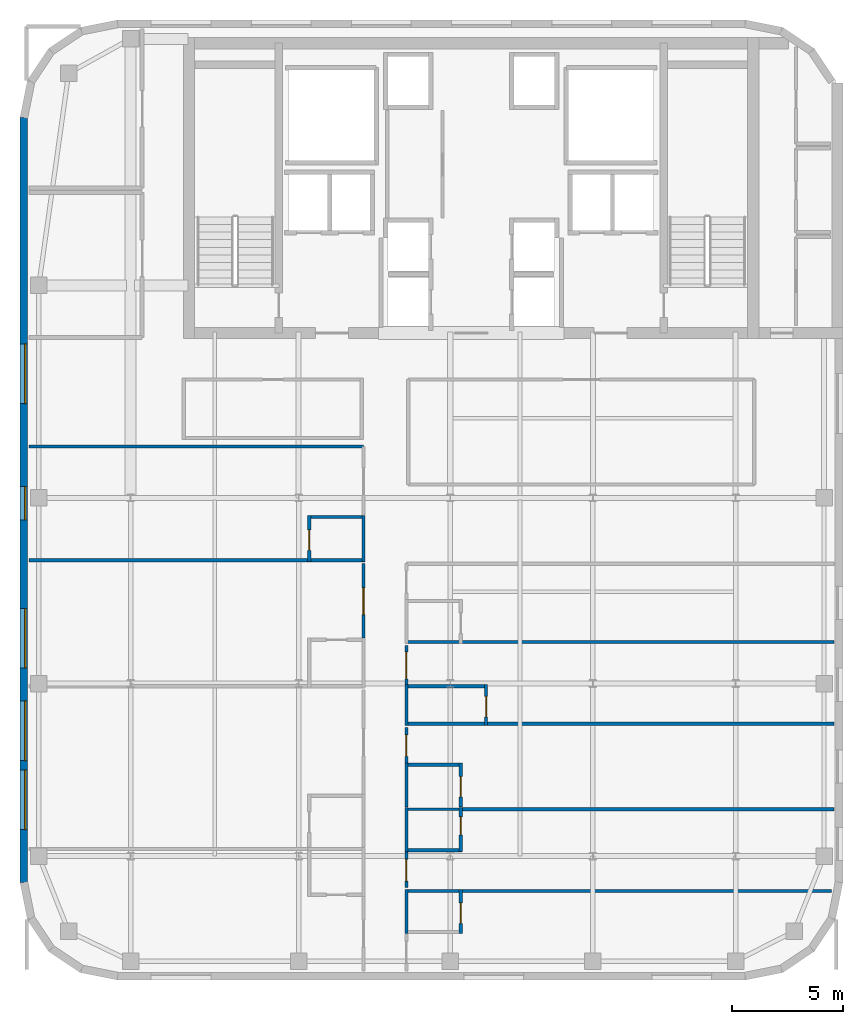
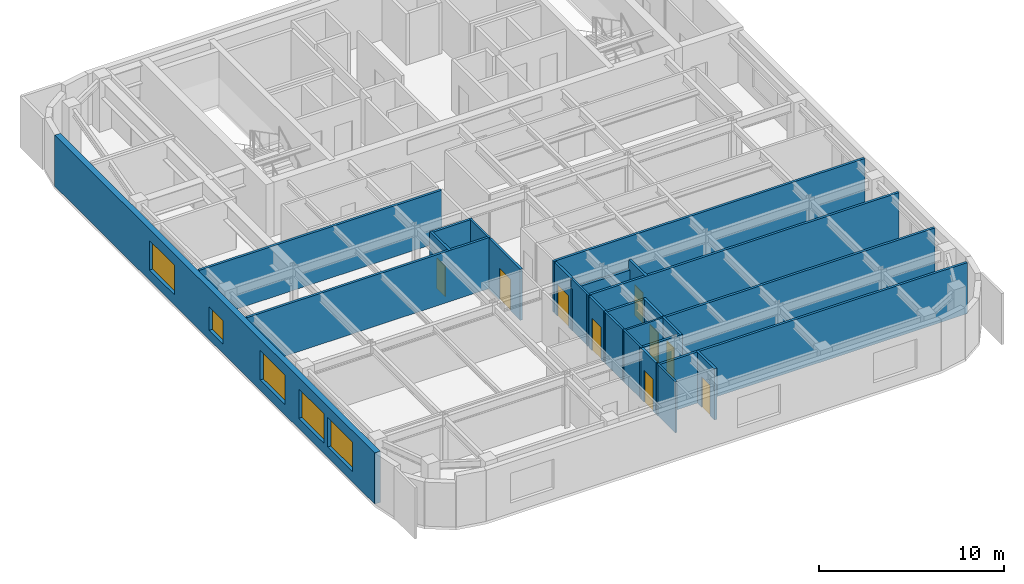
# One storey, part 4 of 9: 27 walls, 9 doors, 5 windows, 14 openings.
"""IFC4 building model written with IfcOpenShell, lengths in metres."""

from ifc_helpers import new_model, si_unit, direction, frame, frame_2d, origin, place, context, subcontext, project, spatial, rectangle, extrude, source, transform, mapped, material, layer, layer_set, type_object, type_shapes, element, fill, save


model = new_model("IFC4")

# Units and contexts
model_context = context("Model", 3, precision=1e-05, world=origin(), true_north=direction((0.0, 1.0)))
body_context = subcontext(model_context, "Body", "Model", "MODEL_VIEW")
ifc_project = project(units=[si_unit("LENGTHUNIT", "METRE"), si_unit("AREAUNIT", "SQUARE_METRE"), si_unit("VOLUMEUNIT", "CUBIC_METRE"), si_unit("PLANEANGLEUNIT", "RADIAN"), si_unit("MASSUNIT", "GRAM", prefix="KILO")], contexts=[model_context])

# Site, building, storey
site_placement = place(None, origin())
site = spatial("IfcSite", under=ifc_project, at=site_placement, CompositionType="ELEMENT")
building_placement = place(site_placement, origin())
building = spatial("IfcBuilding", under=site, at=building_placement, Name="Tolvann Quenvar Hotel", CompositionType="ELEMENT")
storey_placement = place(building_placement, frame((0.0, 0.0, 209.699951171875)))
storey = spatial("IfcBuildingStorey", under=building, at=storey_placement, Name="L55", CompositionType="ELEMENT", Elevation=209.699951171875)

# Wall, openings, windows
ifc_material_1 = material(Name="Kiln-fired red and buff architectural clay brickwork and terracotta masonry", Category="masonry")
ifc_layer_1 = layer(ifc_material_1, 0.35009765625)
ifc_layer_set_1 = layer_set([ifc_layer_1], Name="Kiln-fired red and buff architectural clay brickwork and terracotta masonry")
wall_type_1 = type_object("IfcWallType", Name="WALL_EXT_BRICK_350", PredefinedType="SOLIDWALL", material=ifc_layer_set_1)
wall_1_placement = place(storey_placement, frame((2.77490234375, 41.582763671875, 0.0), z_axis=(0.0, 0.0, 1.0), x_axis=(0.0, -1.0, 0.0)))
wall_1 = element("IfcWall", 1, at=wall_1_placement, inside=storey, type_object=wall_type_1, Name="Exterior Chicago Brick Wall L55-E19", PredefinedType="SOLIDWALL", context=body_context, shape_type="SweptSolid", body=[
    extrude(rectangle(XDim=34.565673828125, YDim=0.35009765625, at=frame_2d((17.28271484375, 0.0))), origin(), (0.0, 0.0, 1.0), 3.3701171875),
])
opening_1_placement = place(wall_1_placement, frame((10.22705078125, 0.0, 0.679931640625)))
opening_1 = element("IfcOpeningElement", 2, at=opening_1_placement, cuts=wall_1, Name="Opening W-04", PredefinedType="OPENING", context=body_context, shape_type="SweptSolid", body=[
    extrude(rectangle(XDim=2.699951171875, YDim=1.949951171875, at=frame_2d((1.35009765625, 0.97509765625))), frame((0.0, 0.18505859375, 0.0), z_axis=(0.0, -1.0, 0.0), x_axis=(1.0, 0.0, 0.0)), (0.0, 0.0, 1.0), 0.3701171875),
])
opening_2_placement = place(wall_1_placement, frame((22.18896484375, 0.0, 0.679931640625)))
opening_2 = element("IfcOpeningElement", 3, at=opening_2_placement, cuts=wall_1, Name="Opening W-04", PredefinedType="OPENING", context=body_context, shape_type="SweptSolid", body=[
    extrude(rectangle(XDim=2.699951171875, YDim=1.949951171875, at=frame_2d((1.35009765625, 0.97509765625))), frame((0.0, 0.18505859375, 0.0), z_axis=(0.0, -1.0, 0.0), x_axis=(1.0, 0.0, 0.0)), (0.0, 0.0, 1.0), 0.3701171875),
])
opening_3_placement = place(wall_1_placement, frame((26.360107421875, 0.0, 0.679931640625)))
opening_3 = element("IfcOpeningElement", 4, at=opening_3_placement, cuts=wall_1, Name="Opening W-04", PredefinedType="OPENING", context=body_context, shape_type="SweptSolid", body=[
    extrude(rectangle(XDim=2.699951171875, YDim=1.949951171875, at=frame_2d((1.35009765625, 0.97509765625))), frame((0.0, 0.18505859375, 0.0), z_axis=(0.0, -1.0, 0.0), x_axis=(1.0, 0.0, 0.0)), (0.0, 0.0, 1.0), 0.3701171875),
])
opening_4_placement = place(wall_1_placement, frame((29.47998046875, 0.0, 0.679931640625)))
opening_4 = element("IfcOpeningElement", 5, at=opening_4_placement, cuts=wall_1, Name="Opening W-04", PredefinedType="OPENING", context=body_context, shape_type="SweptSolid", body=[
    extrude(rectangle(XDim=2.699951171875, YDim=1.949951171875, at=frame_2d((1.35009765625, 0.97509765625))), frame((0.0, 0.18505859375, 0.0), z_axis=(0.0, -1.0, 0.0), x_axis=(1.0, 0.0, 0.0)), (0.0, 0.0, 1.0), 0.3701171875),
])
opening_5_placement = place(wall_1_placement, frame((16.68310546875, 0.0, 0.6201171875)))
opening_5 = element("IfcOpeningElement", 6, at=opening_5_placement, cuts=wall_1, Name="Opening W-08", PredefinedType="OPENING", context=body_context, shape_type="SweptSolid", body=[
    extrude(rectangle(XDim=1.5, YDim=1.550048828125, at=frame_2d((0.75, 0.77490234375))), frame((0.0, 0.18505859375, 0.0), z_axis=(0.0, -1.0, 0.0), x_axis=(1.0, 0.0, 0.0)), (0.0, 0.0, 1.0), 0.3701171875),
])
ifc_material_2 = material(Name="Thermally broken bronze-anodised aluminium frame with double low-E glazing", Category="aluminium")
window_type_1 = type_object("IfcWindowType", Name="WIN_COR_1500x2050", PartitioningType="SINGLE_PANEL", PredefinedType="WINDOW", material=ifc_material_2)
shared_shape_1 = source(origin(), body_context, "Body", "SweptSolid", [
    extrude(rectangle(XDim=1.5, YDim=1.550048828125, at=frame_2d((0.75, 0.77490234375))), frame((0.0, 0.090087890625, 0.0), z_axis=(0.0, -1.0, 0.0), x_axis=(1.0, 0.0, 0.0)), (0.0, 0.0, 1.0), 0.06005859375),
])
type_shapes(window_type_1, [shared_shape_1])
window_1_placement = place(opening_5_placement, origin())
window_1 = element("IfcWindow", 7, at=window_1_placement, inside=storey, type_object=window_type_1, Name="Chicago Window W-08 (EW-L55-E19-WD05)", OverallHeight=1.550048828125, OverallWidth=1.5, PartitioningType="SINGLE_PANEL", PredefinedType="WINDOW", context=body_context, shape_type="MappedRepresentation", body=[
    mapped(shared_shape_1, transform((0.0, 0.0, 0.0), x_axis=(1.0, 0.0, 0.0), y_axis=(0.0, 1.0, 0.0), z_axis=(0.0, 0.0, 1.0), scale=1.0)),
])
fill(opening_5, window_1)
window_type_2 = type_object("IfcWindowType", Name="WIN_STE_2700x2150", PartitioningType="TRIPLE_PANEL_HORIZONTAL", PredefinedType="WINDOW", material=ifc_material_2)
shared_shape_2 = source(origin(), body_context, "Body", "SweptSolid", [
    extrude(rectangle(XDim=2.699951171875, YDim=1.949951171875, at=frame_2d((1.35009765625, 0.97509765625))), frame((0.0, 0.090087890625, 0.0), z_axis=(0.0, -1.0, 0.0), x_axis=(1.0, 0.0, 0.0)), (0.0, 0.0, 1.0), 0.06005859375),
])
type_shapes(window_type_2, [shared_shape_2])
window_2_placement = place(opening_1_placement, origin())
window_2 = element("IfcWindow", 8, at=window_2_placement, inside=storey, type_object=window_type_2, Name="Chicago Window W-04 (EW-L55-E19-W01)", OverallHeight=1.949951171875, OverallWidth=2.699951171875, PartitioningType="TRIPLE_PANEL_HORIZONTAL", PredefinedType="WINDOW", context=body_context, shape_type="MappedRepresentation", body=[
    mapped(shared_shape_2, transform((0.0, 0.0, 0.0), x_axis=(1.0, 0.0, 0.0), y_axis=(0.0, 1.0, 0.0), z_axis=(0.0, 0.0, 1.0), scale=1.0)),
])
fill(opening_1, window_2)
window_3_placement = place(opening_2_placement, origin())
window_3 = element("IfcWindow", 9, at=window_3_placement, inside=storey, type_object=window_type_2, Name="Chicago Window W-04 (EW-L55-E19-W02)", OverallHeight=1.949951171875, OverallWidth=2.699951171875, PartitioningType="TRIPLE_PANEL_HORIZONTAL", PredefinedType="WINDOW", context=body_context, shape_type="MappedRepresentation", body=[
    mapped(shared_shape_2, transform((0.0, 0.0, 0.0), x_axis=(1.0, 0.0, 0.0), y_axis=(0.0, 1.0, 0.0), z_axis=(0.0, 0.0, 1.0), scale=1.0)),
])
fill(opening_2, window_3)
window_4_placement = place(opening_3_placement, origin())
window_4 = element("IfcWindow", 10, at=window_4_placement, inside=storey, type_object=window_type_2, Name="Chicago Window W-04 (EW-L55-E19-W03)", OverallHeight=1.949951171875, OverallWidth=2.699951171875, PartitioningType="TRIPLE_PANEL_HORIZONTAL", PredefinedType="WINDOW", context=body_context, shape_type="MappedRepresentation", body=[
    mapped(shared_shape_2, transform((0.0, 0.0, 0.0), x_axis=(1.0, 0.0, 0.0), y_axis=(0.0, 1.0, 0.0), z_axis=(0.0, 0.0, 1.0), scale=1.0)),
])
fill(opening_3, window_4)
window_5_placement = place(opening_4_placement, origin())
window_5 = element("IfcWindow", 11, at=window_5_placement, inside=storey, type_object=window_type_2, Name="Chicago Window W-04 (EW-L55-E19-W04)", OverallHeight=1.949951171875, OverallWidth=2.699951171875, PartitioningType="TRIPLE_PANEL_HORIZONTAL", PredefinedType="WINDOW", context=body_context, shape_type="MappedRepresentation", body=[
    mapped(shared_shape_2, transform((0.0, 0.0, 0.0), x_axis=(1.0, 0.0, 0.0), y_axis=(0.0, 1.0, 0.0), z_axis=(0.0, 0.0, 1.0), scale=1.0)),
])
fill(opening_4, window_5)

# Walls
ifc_material_3 = material(Name="Moisture-resistant acoustic plumbing wall assembly")
ifc_layer_2 = layer(ifc_material_3, 0.1201171875)
ifc_layer_set_2 = layer_set([ifc_layer_2], Name="Moisture-resistant acoustic plumbing wall assembly")
wall_type_2 = type_object("IfcWallType", Name="WALL_PART_BATH_120", PredefinedType="PLUMBINGWALL", material=ifc_layer_set_2)
wall_2_placement = place(storey_placement, frame((18.1298828125, 21.510009765625, 0.0), z_axis=(0.0, 0.0, 1.0), x_axis=(0.0, 1.0, 0.0)))
element("IfcWall", 12, at=wall_2_placement, inside=storey, type_object=wall_type_2, Name="Non-Rated Plumbing Partition PT-SPC-L55-ENS-WO04-E", PredefinedType="PLUMBINGWALL", context=body_context, shape_type="SweptSolid", body=[
    extrude(rectangle(XDim=2.093017578125, YDim=0.1201171875, at=frame_2d((1.04638671875, 0.0))), origin(), (0.0, 0.0, 1.0), 3.3701171875),
])
wall_3_placement = place(storey_placement, frame((20.070068359375, 4.699951171875, 0.0), z_axis=(0.0, 0.0, 1.0), x_axis=(0.0, 1.0, 0.0)))
element("IfcWall", 13, at=wall_3_placement, inside=storey, type_object=wall_type_2, Name="Non-Rated Plumbing Partition PT-SPC-L55-ENS-EO01-W", PredefinedType="PLUMBINGWALL", context=body_context, shape_type="SweptSolid", body=[
    extrude(rectangle(XDim=1.989990234375, YDim=0.1201171875, at=frame_2d((0.9951171875, 0.0))), origin(), (0.0, 0.0, 1.0), 3.3701171875),
])
wall_4_placement = place(storey_placement, frame((20.0, 10.320068359375, 0.0), z_axis=(0.0, 0.0, 1.0), x_axis=(1.0, 0.0, 0.0)))
element("IfcWall", 14, at=wall_4_placement, inside=storey, type_object=wall_type_2, Name="Non-Rated Plumbing Partition PT-SPC-L55-ENS-EO02-N", PredefinedType="PLUMBINGWALL", context=body_context, shape_type="SweptSolid", body=[
    extrude(rectangle(XDim=2.590087890625, YDim=0.1201171875, at=frame_2d((1.294921875, 0.0))), origin(), (0.0, 0.0, 1.0), 3.3701171875),
])
for number, where, z_axis, x_axis, name in (
    (15, (20.070068359375, 8.39990234375, 0.0), (0.0, 0.0, 1.0), (0.0, 1.0, 0.0), "Non-Rated Plumbing Partition PT-SPC-L55-ENS-EO02-W"),
    (16, (20.070068359375, 10.409912109375, 0.0), (0.0, 0.0, 1.0), (0.0, 1.0, 0.0), "Non-Rated Plumbing Partition PT-SPC-L55-ENS-EO03-W"),
):
    element("IfcWall", number, at=place(storey_placement, frame(where, z_axis=z_axis, x_axis=x_axis)), inside=storey, type_object=wall_type_2, Name=name, PredefinedType="PLUMBINGWALL", context=body_context, shape_type="SweptSolid", body=[
        extrude(rectangle(XDim=1.989990234375, YDim=0.1201171875, at=frame_2d((0.9951171875, 0.0))), origin(), (0.0, 0.0, 1.0), 3.3701171875),
    ])
wall_5_placement = place(storey_placement, frame((20.070068359375, 14.110107421875, 0.0), z_axis=(0.0, 0.0, 1.0), x_axis=(0.0, 1.0, 0.0)))
element("IfcWall", 17, at=wall_5_placement, inside=storey, type_object=wall_type_2, Name="Non-Rated Plumbing Partition PT-SPC-L55-ENS-EO04-W", PredefinedType="PLUMBINGWALL", context=body_context, shape_type="SweptSolid", body=[
    extrude(rectangle(XDim=1.8388671875, YDim=0.1201171875, at=frame_2d((0.91943359375, 0.0))), origin(), (0.0, 0.0, 1.0), 3.3701171875),
])

# Wall, opening, door
ifc_material_4 = material(Name="Acoustic twin-stud fire-rated gypsum plasterboard partition")
ifc_layer_3 = layer(ifc_material_4, 0.14990234375)
ifc_layer_set_3 = layer_set([ifc_layer_3], Name="Acoustic twin-stud fire-rated gypsum plasterboard partition")
wall_type_3 = type_object("IfcWallType", Name="WALL_PART_SUITE_150", PredefinedType="PARTITIONING", material=ifc_layer_set_3)
wall_6_placement = place(storey_placement, frame((15.679931640625, 21.510009765625, 0.0), z_axis=(0.0, 0.0, 1.0), x_axis=(0.0, 1.0, 0.0)))
wall_6 = element("IfcWall", 18, at=wall_6_placement, inside=storey, type_object=wall_type_3, Name="Interior Partition PT-SPC-L55-ENS-WO04-ENT", PredefinedType="PARTITIONING", context=body_context, shape_type="SweptSolid", body=[
    extrude(rectangle(XDim=2.093017578125, YDim=0.14990234375, at=frame_2d((1.04638671875, 0.0))), origin(), (0.0, 0.0, 1.0), 3.3701171875),
])
opening_6_placement = place(wall_6_placement, frame((0.5166015625, 0.0, 0.0)))
opening_6 = element("IfcOpeningElement", 19, at=opening_6_placement, cuts=wall_6, Name="Opening WD-01", PredefinedType="OPENING", context=body_context, shape_type="SweptSolid", body=[
    extrude(rectangle(XDim=0.919921875, YDim=2.010009765625, at=frame_2d((0.4599609375, 1.0048828125))), frame((0.0, 0.0849609375, 0.0), z_axis=(0.0, -1.0, 0.0), x_axis=(1.0, 0.0, 0.0)), (0.0, 0.0, 1.0), 0.169921875),
])
ifc_material_5 = material(Name="Solid-core American oak acoustic fire door leaf in steel frame", Category="steel")
door_type_1 = type_object("IfcDoorType", Name="DOOR_WC_920", OperationType="NOTDEFINED", PredefinedType="DOOR", material=ifc_material_5)
shared_shape_3 = source(origin(), body_context, "Body", "SweptSolid", [
    extrude(rectangle(XDim=0.919921875, YDim=2.010009765625, at=frame_2d((0.4599609375, 1.0048828125))), frame((0.0, 0.02490234375, 0.0), z_axis=(0.0, -1.0, 0.0), x_axis=(1.0, 0.0, 0.0)), (0.0, 0.0, 1.0), 0.050048828125),
])
type_shapes(door_type_1, [shared_shape_3])
door_1_placement = place(opening_6_placement, origin())
door_1 = element("IfcDoor", 20, at=door_1_placement, inside=storey, type_object=door_type_1, Name="Interior Door DOOR-SPC-L55-ENS-WO04", OperationType="SINGLE_SWING_RIGHT", OverallHeight=2.010009765625, OverallWidth=0.919921875, PredefinedType="DOOR", context=body_context, shape_type="MappedRepresentation", body=[
    mapped(shared_shape_3, transform((0.0, 0.0, 0.0), x_axis=(1.0, 0.0, 0.0), y_axis=(0.0, 1.0, 0.0), z_axis=(0.0, 0.0, 1.0), scale=1.0)),
])
fill(opening_6, door_1)

# Walls
wall_7_placement = place(storey_placement, frame((3.0048828125, 21.580078125, 0.0), z_axis=(0.0, 0.0, 1.0), x_axis=(1.0, 0.0, 0.0)))
element("IfcWall", 21, at=wall_7_placement, inside=storey, type_object=wall_type_3, Name="Interior Partition PT-SPC-L55-ENS-WO04-S", PredefinedType="PARTITIONING", context=body_context, shape_type="SweptSolid", body=[
    extrude(rectangle(XDim=15.195068359375, YDim=0.14990234375, at=frame_2d((7.59765625, 0.0))), origin(), (0.0, 0.0, 1.0), 3.3701171875),
])
wall_8_placement = place(storey_placement, frame((15.610107421875, 23.532958984375, 0.0), z_axis=(0.0, 0.0, 1.0), x_axis=(1.0, 0.0, 0.0)))
element("IfcWall", 22, at=wall_8_placement, inside=storey, type_object=wall_type_3, Name="Interior Partition PT-SPC-L55-ENS-WO04-N", PredefinedType="PARTITIONING", context=body_context, shape_type="SweptSolid", body=[
    extrude(rectangle(XDim=2.58984375, YDim=0.14990234375, at=frame_2d((1.294921875, 0.0))), origin(), (0.0, 0.0, 1.0), 3.3701171875),
])

# Wall, opening, door
wall_9_placement = place(storey_placement, frame((22.52001953125, 4.699951171875, 0.0), z_axis=(0.0, 0.0, 1.0), x_axis=(0.0, 1.0, 0.0)))
wall_9 = element("IfcWall", 23, at=wall_9_placement, inside=storey, type_object=wall_type_3, Name="Interior Partition PT-SPC-L55-ENS-EO01-ENT", PredefinedType="PARTITIONING", context=body_context, shape_type="SweptSolid", body=[
    extrude(rectangle(XDim=1.989990234375, YDim=0.14990234375, at=frame_2d((0.9951171875, 0.0))), origin(), (0.0, 0.0, 1.0), 3.3701171875),
])
opening_7_placement = place(wall_9_placement, frame((0.465087890625, 0.0, 0.0)))
opening_7 = element("IfcOpeningElement", 24, at=opening_7_placement, cuts=wall_9, Name="Opening WD-01", PredefinedType="OPENING", context=body_context, shape_type="SweptSolid", body=[
    extrude(rectangle(XDim=0.919921875, YDim=2.010009765625, at=frame_2d((0.4599609375, 1.0048828125))), frame((0.0, 0.0849609375, 0.0), z_axis=(0.0, -1.0, 0.0), x_axis=(1.0, 0.0, 0.0)), (0.0, 0.0, 1.0), 0.169921875),
])
door_2_placement = place(opening_7_placement, origin())
door_2 = element("IfcDoor", 25, at=door_2_placement, inside=storey, type_object=door_type_1, Name="Interior Door DOOR-SPC-L55-ENS-EO01", OperationType="SINGLE_SWING_LEFT", OverallHeight=2.010009765625, OverallWidth=0.919921875, PredefinedType="DOOR", context=body_context, shape_type="MappedRepresentation", body=[
    mapped(shared_shape_3, transform((0.0, 0.0, 0.0), x_axis=(1.0, 0.0, 0.0), y_axis=(0.0, 1.0, 0.0), z_axis=(0.0, 0.0, 1.0), scale=1.0)),
])
fill(opening_7, door_2)

# Wall
wall_10_placement = place(storey_placement, frame((20.0, 6.6201171875, 0.0), z_axis=(0.0, 0.0, 1.0), x_axis=(1.0, 0.0, 0.0)))
element("IfcWall", 26, at=wall_10_placement, inside=storey, type_object=wall_type_3, Name="Interior Partition PT-SPC-L55-ENS-EO01-N", PredefinedType="PARTITIONING", context=body_context, shape_type="SweptSolid", body=[
    extrude(rectangle(XDim=2.590087890625, YDim=0.14990234375, at=frame_2d((1.294921875, 0.0))), origin(), (0.0, 0.0, 1.0), 3.3701171875),
])

# Wall, opening, door
wall_11_placement = place(storey_placement, frame((22.52001953125, 8.39990234375, 0.0), z_axis=(0.0, 0.0, 1.0), x_axis=(0.0, 1.0, 0.0)))
wall_11 = element("IfcWall", 27, at=wall_11_placement, inside=storey, type_object=wall_type_3, Name="Interior Partition PT-SPC-L55-ENS-EO02-ENT", PredefinedType="PARTITIONING", context=body_context, shape_type="SweptSolid", body=[
    extrude(rectangle(XDim=1.989990234375, YDim=0.14990234375, at=frame_2d((0.9951171875, 0.0))), origin(), (0.0, 0.0, 1.0), 3.3701171875),
])
opening_8_placement = place(wall_11_placement, frame((0.760009765625, 0.0, 0.0)))
opening_8 = element("IfcOpeningElement", 28, at=opening_8_placement, cuts=wall_11, Name="Opening HD-02", PredefinedType="OPENING", context=body_context, shape_type="SweptSolid", body=[
    extrude(rectangle(XDim=0.820068359375, YDim=2.010009765625, at=frame_2d((0.41015625, 1.0048828125))), frame((0.0, 0.0849609375, 0.0), z_axis=(0.0, -1.0, 0.0), x_axis=(1.0, 0.0, 0.0)), (0.0, 0.0, 1.0), 0.169921875),
])
ifc_material_6 = material(Name="Pressed galvanised steel fire-rated door set", Category="steel")
door_type_2 = type_object("IfcDoorType", Name="DOOR_STORE_820", OperationType="NOTDEFINED", PredefinedType="DOOR", material=ifc_material_6)
shared_shape_4 = source(origin(), body_context, "Body", "SweptSolid", [
    extrude(rectangle(XDim=0.820068359375, YDim=2.010009765625, at=frame_2d((0.41015625, 1.0048828125))), frame((0.0, 0.02490234375, 0.0), z_axis=(0.0, -1.0, 0.0), x_axis=(1.0, 0.0, 0.0)), (0.0, 0.0, 1.0), 0.050048828125),
])
type_shapes(door_type_2, [shared_shape_4])
door_3_placement = place(opening_8_placement, origin())
door_3 = element("IfcDoor", 29, at=door_3_placement, inside=storey, type_object=door_type_2, Name="Interior Door DOOR-SPC-L55-ENS-EO02", OperationType="SINGLE_SWING_RIGHT", OverallHeight=2.010009765625, OverallWidth=0.820068359375, PredefinedType="DOOR", context=body_context, shape_type="MappedRepresentation", body=[
    mapped(shared_shape_4, transform((0.0, 0.0, 0.0), x_axis=(1.0, 0.0, 0.0), y_axis=(0.0, 1.0, 0.0), z_axis=(0.0, 0.0, 1.0), scale=1.0)),
])
fill(opening_8, door_3)

# Wall
wall_12_placement = place(storey_placement, frame((20.0, 8.469970703125, 0.0), z_axis=(0.0, 0.0, 1.0), x_axis=(1.0, 0.0, 0.0)))
element("IfcWall", 30, at=wall_12_placement, inside=storey, type_object=wall_type_3, Name="Interior Partition PT-SPC-L55-ENS-EO02-S", PredefinedType="PARTITIONING", context=body_context, shape_type="SweptSolid", body=[
    extrude(rectangle(XDim=2.590087890625, YDim=0.14990234375, at=frame_2d((1.294921875, 0.0))), origin(), (0.0, 0.0, 1.0), 3.3701171875),
])

# Wall, opening, door
wall_13_placement = place(storey_placement, frame((22.52001953125, 10.409912109375, 0.0), z_axis=(0.0, 0.0, 1.0), x_axis=(0.0, 1.0, 0.0)))
wall_13 = element("IfcWall", 31, at=wall_13_placement, inside=storey, type_object=wall_type_3, Name="Interior Partition PT-SPC-L55-ENS-EO03-ENT", PredefinedType="PARTITIONING", context=body_context, shape_type="SweptSolid", body=[
    extrude(rectangle(XDim=1.989990234375, YDim=0.14990234375, at=frame_2d((0.9951171875, 0.0))), origin(), (0.0, 0.0, 1.0), 3.3701171875),
])
opening_9_placement = place(wall_13_placement, frame((0.465087890625, 0.0, 0.0)))
opening_9 = element("IfcOpeningElement", 32, at=opening_9_placement, cuts=wall_13, Name="Opening WD-01", PredefinedType="OPENING", context=body_context, shape_type="SweptSolid", body=[
    extrude(rectangle(XDim=0.919921875, YDim=2.010009765625, at=frame_2d((0.4599609375, 1.0048828125))), frame((0.0, 0.0849609375, 0.0), z_axis=(0.0, -1.0, 0.0), x_axis=(1.0, 0.0, 0.0)), (0.0, 0.0, 1.0), 0.169921875),
])
door_4_placement = place(opening_9_placement, origin())
door_4 = element("IfcDoor", 33, at=door_4_placement, inside=storey, type_object=door_type_1, Name="Interior Door DOOR-SPC-L55-ENS-EO03", OperationType="SINGLE_SWING_LEFT", OverallHeight=2.010009765625, OverallWidth=0.919921875, PredefinedType="DOOR", context=body_context, shape_type="MappedRepresentation", body=[
    mapped(shared_shape_3, transform((0.0, 0.0, 0.0), x_axis=(1.0, 0.0, 0.0), y_axis=(0.0, 1.0, 0.0), z_axis=(0.0, 0.0, 1.0), scale=1.0)),
])
fill(opening_9, door_4)

# Wall
wall_14_placement = place(storey_placement, frame((20.0, 12.330078125, 0.0), z_axis=(0.0, 0.0, 1.0), x_axis=(1.0, 0.0, 0.0)))
element("IfcWall", 34, at=wall_14_placement, inside=storey, type_object=wall_type_3, Name="Interior Partition PT-SPC-L55-ENS-EO03-N", PredefinedType="PARTITIONING", context=body_context, shape_type="SweptSolid", body=[
    extrude(rectangle(XDim=2.590087890625, YDim=0.14990234375, at=frame_2d((1.294921875, 0.0))), origin(), (0.0, 0.0, 1.0), 3.3701171875),
])

# Wall, opening, door
wall_15_placement = place(storey_placement, frame((23.669921875, 14.110107421875, 0.0), z_axis=(0.0, 0.0, 1.0), x_axis=(0.0, 1.0, 0.0)))
wall_15 = element("IfcWall", 35, at=wall_15_placement, inside=storey, type_object=wall_type_3, Name="Interior Partition PT-SPC-L55-ENS-EO04-ENT", PredefinedType="PARTITIONING", context=body_context, shape_type="SweptSolid", body=[
    extrude(rectangle(XDim=1.8388671875, YDim=0.14990234375, at=frame_2d((0.91943359375, 0.0))), origin(), (0.0, 0.0, 1.0), 3.3701171875),
])
opening_10_placement = place(wall_15_placement, frame((0.389404296875, 0.0, 0.0)))
opening_10 = element("IfcOpeningElement", 36, at=opening_10_placement, cuts=wall_15, Name="Opening WD-01", PredefinedType="OPENING", context=body_context, shape_type="SweptSolid", body=[
    extrude(rectangle(XDim=0.919921875, YDim=2.010009765625, at=frame_2d((0.4599609375, 1.0048828125))), frame((0.0, 0.0849609375, 0.0), z_axis=(0.0, -1.0, 0.0), x_axis=(1.0, 0.0, 0.0)), (0.0, 0.0, 1.0), 0.169921875),
])
door_5_placement = place(opening_10_placement, origin())
door_5 = element("IfcDoor", 37, at=door_5_placement, inside=storey, type_object=door_type_1, Name="Interior Door DOOR-SPC-L55-ENS-EO04", OperationType="SINGLE_SWING_RIGHT", OverallHeight=2.010009765625, OverallWidth=0.919921875, PredefinedType="DOOR", context=body_context, shape_type="MappedRepresentation", body=[
    mapped(shared_shape_3, transform((0.0, 0.0, 0.0), x_axis=(1.0, 0.0, 0.0), y_axis=(0.0, 1.0, 0.0), z_axis=(0.0, 0.0, 1.0), scale=1.0)),
])
fill(opening_10, door_5)

# Walls
wall_16_placement = place(storey_placement, frame((20.0, 14.179931640625, 0.0), z_axis=(0.0, 0.0, 1.0), x_axis=(1.0, 0.0, 0.0)))
element("IfcWall", 38, at=wall_16_placement, inside=storey, type_object=wall_type_3, Name="Interior Partition PT-SPC-L55-ENS-EO04-S", PredefinedType="PARTITIONING", context=body_context, shape_type="SweptSolid", body=[
    extrude(rectangle(XDim=19.39501953125, YDim=0.14990234375, at=frame_2d((9.697509765625, 0.0))), origin(), (0.0, 0.0, 1.0), 3.3701171875),
])
wall_17_placement = place(storey_placement, frame((20.0, 15.87890625, 0.0), z_axis=(0.0, 0.0, 1.0), x_axis=(1.0, 0.0, 0.0)))
element("IfcWall", 39, at=wall_17_placement, inside=storey, type_object=wall_type_3, Name="Interior Partition PT-SPC-L55-ENS-EO04-N", PredefinedType="PARTITIONING", context=body_context, shape_type="SweptSolid", body=[
    extrude(rectangle(XDim=3.739990234375, YDim=0.14990234375, at=frame_2d((1.8701171875, 0.0))), origin(), (0.0, 0.0, 1.0), 2.758056640625),
])
wall_18_placement = place(storey_placement, frame((20.0, 17.8798828125, 0.0), z_axis=(0.0, 0.0, 1.0), x_axis=(1.0, 0.0, 0.0)))
element("IfcWall", 40, at=wall_18_placement, inside=storey, type_object=wall_type_3, Name="Interior Partition PT-SPC-L55-ENS-EO05-S", PredefinedType="PARTITIONING", context=body_context, shape_type="SweptSolid", body=[
    extrude(rectangle(XDim=19.39501953125, YDim=0.14990234375, at=frame_2d((9.697509765625, 0.0))), origin(), (0.0, 0.0, 1.0), 3.3701171875),
])

# Wall, opening, door
wall_19_placement = place(storey_placement, frame((18.1298828125, 18.06494140625, 0.0), z_axis=(0.0, 0.0, 1.0), x_axis=(0.0, 1.0, 0.0)))
wall_19 = element("IfcWall", 41, at=wall_19_placement, inside=storey, type_object=wall_type_3, Name="Interior Partition PT-SPC-L55-RM-WO03-ENT", PredefinedType="PARTITIONING", context=body_context, shape_type="SweptSolid", body=[
    extrude(rectangle(XDim=3.35498046875, YDim=0.14990234375, at=frame_2d((1.677490234375, 0.0))), origin(), (0.0, 0.0, 1.0), 3.3701171875),
])
opening_11_placement = place(wall_19_placement, frame((1.047607421875, 0.0, 0.0)))
opening_11 = element("IfcOpeningElement", 42, at=opening_11_placement, cuts=wall_19, Name="Opening SD-02", PredefinedType="OPENING", context=body_context, shape_type="SweptSolid", body=[
    extrude(rectangle(XDim=1.219970703125, YDim=2.080078125, at=frame_2d((0.60986328125, 1.0400390625))), frame((0.0, 0.0849609375, 0.0), z_axis=(0.0, -1.0, 0.0), x_axis=(1.0, 0.0, 0.0)), (0.0, 0.0, 1.0), 0.169921875),
])
door_type_3 = type_object("IfcDoorType", Name="DOOR_VIP_1220", OperationType="NOTDEFINED", PredefinedType="DOOR", material=ifc_material_5)
shared_shape_5 = source(origin(), body_context, "Body", "SweptSolid", [
    extrude(rectangle(XDim=1.219970703125, YDim=2.080078125, at=frame_2d((0.60986328125, 1.0400390625))), frame((0.0, 0.02490234375, 0.0), z_axis=(0.0, -1.0, 0.0), x_axis=(1.0, 0.0, 0.0)), (0.0, 0.0, 1.0), 0.050048828125),
])
type_shapes(door_type_3, [shared_shape_5])
door_6_placement = place(opening_11_placement, origin())
door_6 = element("IfcDoor", 43, at=door_6_placement, inside=storey, type_object=door_type_3, Name="Interior Door DOOR-SPC-L55-RM-WO03", OperationType="SINGLE_SWING_RIGHT", OverallHeight=2.080078125, OverallWidth=1.219970703125, PredefinedType="DOOR", context=body_context, shape_type="MappedRepresentation", body=[
    mapped(shared_shape_5, transform((0.0, 0.0, 0.0), x_axis=(1.0, 0.0, 0.0), y_axis=(0.0, 1.0, 0.0), z_axis=(0.0, 0.0, 1.0), scale=1.0)),
])
fill(opening_11, door_6)

# Walls
wall_20_placement = place(storey_placement, frame((3.0048828125, 26.719970703125, 0.0), z_axis=(0.0, 0.0, 1.0), x_axis=(1.0, 0.0, 0.0)))
element("IfcWall", 44, at=wall_20_placement, inside=storey, type_object=wall_type_3, Name="Interior Partition PT-SPC-L55-RM-WO04-E5", PredefinedType="PARTITIONING", context=body_context, shape_type="SweptSolid", body=[
    extrude(rectangle(XDim=15.125, YDim=0.14990234375, at=frame_2d((7.5625, 0.0))), origin(), (0.0, 0.0, 1.0), 3.3701171875),
])
wall_21_placement = place(storey_placement, frame((22.5400390625, 6.6201171875, 0.0), z_axis=(0.0, 0.0, 1.0), x_axis=(1.0, 0.0, 0.0)))
element("IfcWall", 45, at=wall_21_placement, inside=storey, type_object=wall_type_3, Name="Interior Partition PT-SPC-L55-RM-EO01-E3", PredefinedType="PARTITIONING", context=body_context, shape_type="SweptSolid", body=[
    extrude(rectangle(XDim=16.748046875, YDim=0.14990234375, at=frame_2d((8.3740234375, 0.0))), origin(), (0.0, 0.0, 1.0), 3.3701171875),
])

# Wall, opening, door
wall_22_placement = place(storey_placement, frame((20.070068359375, 6.780029296875, 0.0), z_axis=(0.0, 0.0, 1.0), x_axis=(0.0, 1.0, 0.0)))
wall_22 = element("IfcWall", 46, at=wall_22_placement, inside=storey, type_object=wall_type_3, Name="Interior Partition PT-SPC-L55-RM-EO02-ENT", PredefinedType="PARTITIONING", context=body_context, shape_type="SweptSolid", body=[
    extrude(rectangle(XDim=1.60986328125, YDim=0.14990234375, at=frame_2d((0.804931640625, 0.0))), origin(), (0.0, 0.0, 1.0), 3.3701171875),
])
opening_12_placement = place(wall_22_placement, frame((0.294921875, 0.0, 0.0)))
opening_12 = element("IfcOpeningElement", 47, at=opening_12_placement, cuts=wall_22, Name="Opening SD-01", PredefinedType="OPENING", context=body_context, shape_type="SweptSolid", body=[
    extrude(rectangle(XDim=0.97998046875, YDim=2.1201171875, at=frame_2d((0.489990234375, 1.06005859375))), frame((0.0, 0.0849609375, 0.0), z_axis=(0.0, -1.0, 0.0), x_axis=(1.0, 0.0, 0.0)), (0.0, 0.0, 1.0), 0.169921875),
])
door_type_4 = type_object("IfcDoorType", Name="DOOR_SUITE_980", OperationType="NOTDEFINED", PredefinedType="DOOR", material=ifc_material_5)
shared_shape_6 = source(origin(), body_context, "Body", "SweptSolid", [
    extrude(rectangle(XDim=0.97998046875, YDim=2.1201171875, at=frame_2d((0.489990234375, 1.06005859375))), frame((0.0, 0.02490234375, 0.0), z_axis=(0.0, -1.0, 0.0), x_axis=(1.0, 0.0, 0.0)), (0.0, 0.0, 1.0), 0.050048828125),
])
type_shapes(door_type_4, [shared_shape_6])
door_7_placement = place(opening_12_placement, origin())
door_7 = element("IfcDoor", 48, at=door_7_placement, inside=storey, type_object=door_type_4, Name="Interior Door DOOR-SPC-L55-RM-EO02", OperationType="SINGLE_SWING_LEFT", OverallHeight=2.1201171875, OverallWidth=0.97998046875, PredefinedType="DOOR", context=body_context, shape_type="MappedRepresentation", body=[
    mapped(shared_shape_6, transform((0.0, 0.0, 0.0), x_axis=(1.0, 0.0, 0.0), y_axis=(0.0, 1.0, 0.0), z_axis=(0.0, 0.0, 1.0), scale=1.0)),
])
fill(opening_12, door_7)

# Wall
wall_23_placement = place(storey_placement, frame((22.5400390625, 10.320068359375, 0.0), z_axis=(0.0, 0.0, 1.0), x_axis=(1.0, 0.0, 0.0)))
element("IfcWall", 49, at=wall_23_placement, inside=storey, type_object=wall_type_3, Name="Interior Partition PT-SPC-L55-RM-EO02-E3", PredefinedType="PARTITIONING", context=body_context, shape_type="SweptSolid", body=[
    extrude(rectangle(XDim=16.85498046875, YDim=0.14990234375, at=frame_2d((8.427490234375, 0.0))), origin(), (0.0, 0.0, 1.0), 3.3701171875),
])

# Wall, opening, door
wall_24_placement = place(storey_placement, frame((20.070068359375, 12.409912109375, 0.0), z_axis=(0.0, 0.0, 1.0), x_axis=(0.0, 1.0, 0.0)))
wall_24 = element("IfcWall", 50, at=wall_24_placement, inside=storey, type_object=wall_type_3, Name="Interior Partition PT-SPC-L55-RM-EO03-ENT", PredefinedType="PARTITIONING", context=body_context, shape_type="SweptSolid", body=[
    extrude(rectangle(XDim=1.610107421875, YDim=0.14990234375, at=frame_2d((0.80517578125, 0.0))), origin(), (0.0, 0.0, 1.0), 3.3701171875),
])
opening_13_placement = place(wall_24_placement, frame((0.294921875, 0.0, 0.0)))
opening_13 = element("IfcOpeningElement", 51, at=opening_13_placement, cuts=wall_24, Name="Opening SD-01", PredefinedType="OPENING", context=body_context, shape_type="SweptSolid", body=[
    extrude(rectangle(XDim=0.97998046875, YDim=2.1201171875, at=frame_2d((0.489990234375, 1.06005859375))), frame((0.0, 0.0849609375, 0.0), z_axis=(0.0, -1.0, 0.0), x_axis=(1.0, 0.0, 0.0)), (0.0, 0.0, 1.0), 0.169921875),
])
door_8_placement = place(opening_13_placement, origin())
door_8 = element("IfcDoor", 52, at=door_8_placement, inside=storey, type_object=door_type_4, Name="Interior Door DOOR-SPC-L55-RM-EO03", OperationType="SINGLE_SWING_RIGHT", OverallHeight=2.1201171875, OverallWidth=0.97998046875, PredefinedType="DOOR", context=body_context, shape_type="MappedRepresentation", body=[
    mapped(shared_shape_6, transform((0.0, 0.0, 0.0), x_axis=(1.0, 0.0, 0.0), y_axis=(0.0, 1.0, 0.0), z_axis=(0.0, 0.0, 1.0), scale=1.0)),
])
fill(opening_13, door_8)

wall_25_placement = place(storey_placement, frame((20.070068359375, 15.958984375, 0.0), z_axis=(0.0, 0.0, 1.0), x_axis=(0.0, 1.0, 0.0)))
wall_25 = element("IfcWall", 53, at=wall_25_placement, inside=storey, type_object=wall_type_3, Name="Interior Partition PT-SPC-L55-RM-EO04-ENT", PredefinedType="PARTITIONING", context=body_context, shape_type="SweptSolid", body=[
    extrude(rectangle(XDim=1.760986328125, YDim=0.14990234375, at=frame_2d((0.88037109375, 0.0))), origin(), (0.0, 0.0, 1.0), 3.3701171875),
])
opening_14_placement = place(wall_25_placement, frame((0.25048828125, 0.0, 0.0)))
opening_14 = element("IfcOpeningElement", 54, at=opening_14_placement, cuts=wall_25, Name="Opening SD-02", PredefinedType="OPENING", context=body_context, shape_type="SweptSolid", body=[
    extrude(rectangle(XDim=1.219970703125, YDim=2.080078125, at=frame_2d((0.60986328125, 1.0400390625))), frame((0.0, 0.0849609375, 0.0), z_axis=(0.0, -1.0, 0.0), x_axis=(1.0, 0.0, 0.0)), (0.0, 0.0, 1.0), 0.169921875),
])
door_9_placement = place(opening_14_placement, origin())
door_9 = element("IfcDoor", 55, at=door_9_placement, inside=storey, type_object=door_type_3, Name="Interior Door DOOR-SPC-L55-RM-EO04", OperationType="SINGLE_SWING_LEFT", OverallHeight=2.080078125, OverallWidth=1.219970703125, PredefinedType="DOOR", context=body_context, shape_type="MappedRepresentation", body=[
    mapped(shared_shape_5, transform((0.0, 0.0, 0.0), x_axis=(1.0, 0.0, 0.0), y_axis=(0.0, 1.0, 0.0), z_axis=(0.0, 0.0, 1.0), scale=1.0)),
])
fill(opening_14, door_9)

save(model, "model.ifc")
